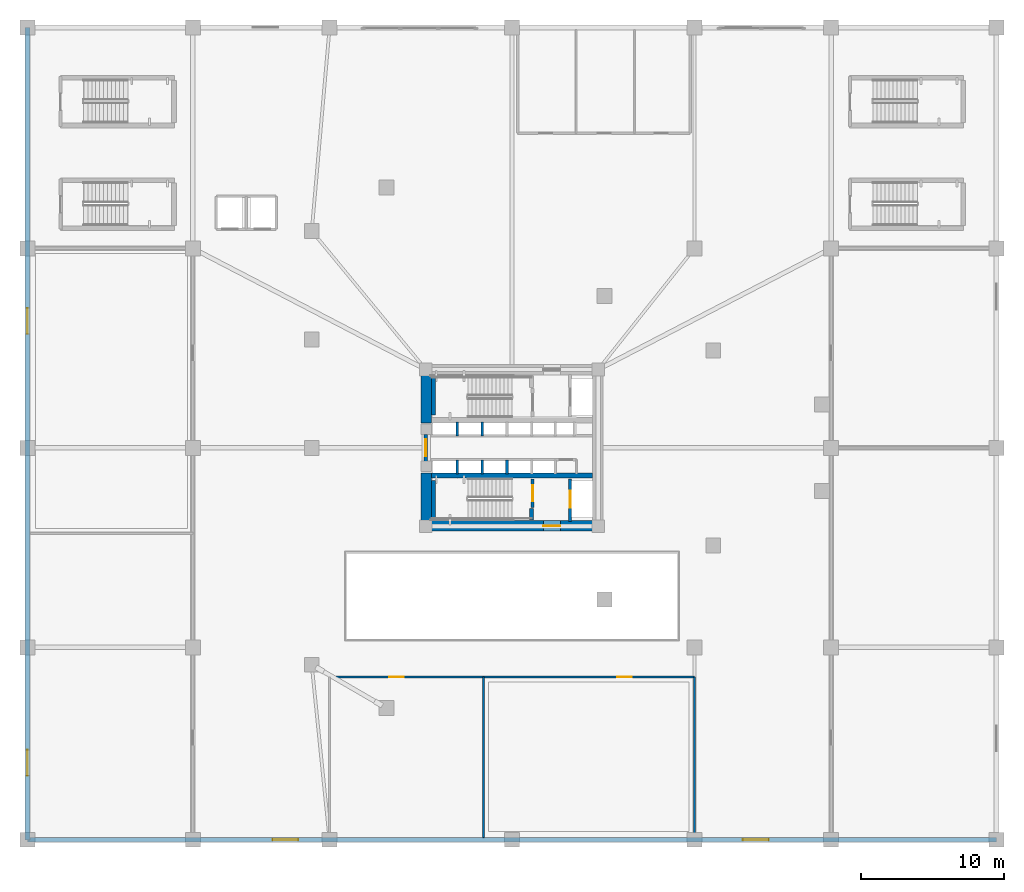
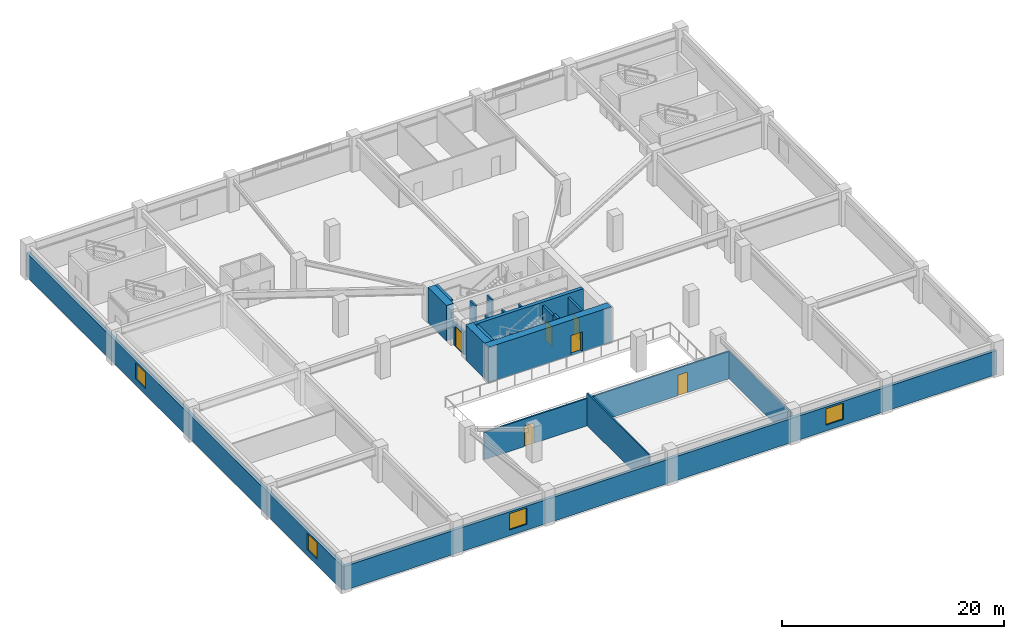
# One storey, part 4 of 16: 20 walls, 6 doors, 4 windows, 10 openings.
"""IFC4 building model written with IfcOpenShell, lengths in metres."""

from ifc_helpers import new_model, si_unit, direction, frame, frame_2d, origin, place, context, subcontext, project, spatial, rectangle, extrude, material, layer, layer_set, type_object, element, fill, save


model = new_model("IFC4")

# Units and contexts
model_context = context("Model", 3, precision=1e-05, world=origin(), true_north=direction((0.0, 1.0)))
body_context = subcontext(model_context, "Body", "Model", "MODEL_VIEW")
ifc_project = project(units=[si_unit("LENGTHUNIT", "METRE"), si_unit("AREAUNIT", "SQUARE_METRE"), si_unit("VOLUMEUNIT", "CUBIC_METRE"), si_unit("PLANEANGLEUNIT", "RADIAN"), si_unit("MASSUNIT", "GRAM", prefix="KILO")], contexts=[model_context])

# Site, building, storey
site_placement = place(None, origin())
site = spatial("IfcSite", under=ifc_project, at=site_placement, CompositionType="ELEMENT")
building_placement = place(site_placement, origin())
building = spatial("IfcBuilding", under=site, at=building_placement, Name="Yunling Apex Tower", CompositionType="ELEMENT")
storey_placement = place(building_placement, frame((0.0, 0.0, 4.5)))
storey = spatial("IfcBuildingStorey", under=building, at=storey_placement, Name="L02", CompositionType="ELEMENT", Elevation=4.5)

# Wall, opening, door
ifc_material_1 = material(Name="Concrete C60", Category="concrete")
ifc_layer_1 = layer(ifc_material_1, 0.75)
ifc_layer_set_1 = layer_set([ifc_layer_1], Name="Concrete C60")
wall_type_1 = type_object("IfcWallType", Name="WL-COR-1", PredefinedType="SHEAR", material=ifc_layer_set_1)
wall_1_placement = place(storey_placement, frame((-6.39990234375, -5.47509765625, 0.0), z_axis=(0.0, 0.0, 1.0), x_axis=(1.0, 0.0, 0.0)))
wall_1 = element("IfcWall", 1, at=wall_1_placement, inside=storey, type_object=wall_type_1, Name="L02 South Core Shear Wall", PredefinedType="SHEAR", context=body_context, shape_type="SweptSolid", body=[
    extrude(rectangle(XDim=12.7998046875, YDim=0.75, at=frame_2d((6.39990234375, 0.0))), origin(), (0.0, 0.0, 1.0), 3.89990234375),
])
opening_1_placement = place(wall_1_placement, frame((8.60009765625, 0.0, 0.0)))
opening_1 = element("IfcOpeningElement", 2, at=opening_1_placement, cuts=wall_1, Name="Opening DR-FFL-1", PredefinedType="OPENING", context=body_context, shape_type="SweptSolid", body=[
    extrude(rectangle(XDim=1.199951171875, YDim=2.199951171875, at=frame_2d((0.60009765625, 1.10009765625))), frame((0.0, 0.385009765625, 0.0), z_axis=(0.0, -1.0, 0.0), x_axis=(1.0, 0.0, 0.0)), (0.0, 0.0, 1.0), 0.77001953125),
])
ifc_material_2 = material(Name="Steel Q355B", Category="steel")
door_type_1 = type_object("IfcDoorType", Name="DR-FFL-1", OperationType="NOTDEFINED", PredefinedType="DOOR", material=ifc_material_2)
door_1_placement = place(opening_1_placement, origin())
door_1 = element("IfcDoor", 3, at=door_1_placement, inside=storey, type_object=door_type_1, Name="L02 South Firefighting Lobby Door", OperationType="SINGLE_SWING_RIGHT", OverallHeight=2.199951171875, OverallWidth=1.199951171875, PredefinedType="DOOR", context=body_context, shape_type="SweptSolid", body=[
    extrude(rectangle(XDim=1.199951171875, YDim=2.199951171875, at=frame_2d((0.60009765625, 1.10009765625))), frame((0.0, 0.02490234375, 0.0), z_axis=(0.0, -1.0, 0.0), x_axis=(1.0, 0.0, 0.0)), (0.0, 0.0, 1.0), 0.050048828125),
])
fill(opening_1, door_1)

# Walls
for number, where, z_axis, x_axis, name in (
    (4, (-6.02490234375, -5.10009765625, 0.0), (0.0, 0.0, 1.0), (0.0, 1.0, 0.0), "L02 West-South Core Shear Wall"),
    (5, (-6.02490234375, 1.75, 0.0), (0.0, 0.0, 1.0), (0.0, 1.0, 0.0), "L02 West-North Core Shear Wall"),
):
    element("IfcWall", number, at=place(storey_placement, frame(where, z_axis=z_axis, x_axis=x_axis)), inside=storey, type_object=wall_type_1, Name=name, PredefinedType="SHEAR", context=body_context, shape_type="SweptSolid", body=[
        extrude(rectangle(XDim=3.35009765625, YDim=0.75, at=frame_2d((1.675048828125, 0.0))), origin(), (0.0, 0.0, 1.0), 3.89990234375),
    ])
ifc_material_3 = material(Name="Concrete C40", Category="concrete")
ifc_layer_2 = layer(ifc_material_3, 0.360107421875)
ifc_layer_set_2 = layer_set([ifc_layer_2], Name="Concrete C40")
wall_type_2 = type_object("IfcWallType", Name="WL-COR-4", PredefinedType="SHEAR", material=ifc_layer_set_2)
wall_2_placement = place(storey_placement, frame((-5.64990234375, -1.93994140625, 0.0), z_axis=(0.0, 0.0, 1.0), x_axis=(1.0, 0.0, 0.0)))
element("IfcWall", 6, at=wall_2_placement, inside=storey, type_object=wall_type_2, Name="L02 South Internal Core Shear Wall", PredefinedType="SHEAR", context=body_context, shape_type="SweptSolid", body=[
    extrude(rectangle(XDim=11.2998046875, YDim=0.360107421875, at=frame_2d((5.64990234375, 0.0))), origin(), (0.0, 0.0, 1.0), 3.89990234375),
])
ifc_layer_3 = layer(ifc_material_3, 0.280029296875)
ifc_layer_set_3 = layer_set([ifc_layer_3], Name="Concrete C40")
wall_type_3 = type_object("IfcWallType", Name="WL-COR-8", PredefinedType="SHEAR", material=ifc_layer_set_3)
for number, where, z_axis, x_axis, name in (
    (7, (-5.52001953125, 2.300048828125, 0.0), (0.0, 0.0, 1.0), (0.0, 1.0, 0.0), "L02 ST-1 West Landing Bearing Wall"),
    (8, (-5.52001953125, -5.050048828125, 0.0), (0.0, 0.0, 1.0), (0.0, 1.0, 0.0), "L02 ST-2 West Landing Bearing Wall"),
):
    element("IfcWall", number, at=place(storey_placement, frame(where, z_axis=z_axis, x_axis=x_axis)), inside=storey, type_object=wall_type_3, Name=name, PredefinedType="SHEAR", context=body_context, shape_type="SweptSolid", body=[
        extrude(rectangle(XDim=2.75, YDim=0.280029296875, at=frame_2d((1.375, 0.0))), origin(), (0.0, 0.0, 1.0), 3.89990234375),
    ])
wall_3_placement = place(storey_placement, frame((1.3798828125, -5.050048828125, 0.0), z_axis=(0.0, 0.0, 1.0), x_axis=(0.0, 1.0, 0.0)))
element("IfcWall", 9, at=wall_3_placement, inside=storey, type_object=wall_type_3, Name="L02 ST-2 East Landing Bearing Pier", PredefinedType="SHEAR", context=body_context, shape_type="SweptSolid", body=[
    extrude(rectangle(XDim=0.800048828125, YDim=0.280029296875, at=frame_2d((0.39990234375, 0.0))), origin(), (0.0, 0.0, 1.0), 3.89990234375),
])

# Wall, openings, windows
ifc_material_4 = material(Name="Precast concrete C40", Category="concrete")
ifc_layer_4 = layer(ifc_material_4, 0.320068359375)
ifc_layer_set_4 = layer_set([ifc_layer_4], Name="Precast concrete C40")
wall_type_4 = type_object("IfcWallType", Name="WL-EXT-1", PredefinedType="SOLIDWALL", material=ifc_layer_set_4)
wall_4_placement = place(storey_placement, frame((34.0, -27.5, 0.0), z_axis=(0.0, 0.0, 1.0), x_axis=(-1.0, 0.0, 0.0)))
wall_4 = element("IfcWall", 10, at=wall_4_placement, inside=storey, type_object=wall_type_4, Name="WL-POD-L02-S", PredefinedType="SOLIDWALL", context=body_context, shape_type="SweptSolid", body=[
    extrude(rectangle(XDim=68.0, YDim=0.320068359375, at=frame_2d((34.0, 0.0))), origin(), (0.0, 0.0, 1.0), 2.64990234375),
])
opening_2_placement = place(wall_4_placement, frame((16.0, 0.0, 0.64990234375)))
opening_2 = element("IfcOpeningElement", 11, at=opening_2_placement, cuts=wall_4, Name="Opening WN-POD-2", PredefinedType="OPENING", context=body_context, shape_type="SweptSolid", body=[
    extrude(rectangle(XDim=1.800048828125, YDim=1.800048828125, at=frame_2d((0.89990234375, 0.89990234375))), frame((0.0, 0.169921875, 0.0), z_axis=(0.0, -1.0, 0.0), x_axis=(1.0, 0.0, 0.0)), (0.0, 0.0, 1.0), 0.340087890625),
])
opening_3_placement = place(wall_4_placement, frame((49.0, 0.0, 0.64990234375)))
opening_3 = element("IfcOpeningElement", 12, at=opening_3_placement, cuts=wall_4, Name="Opening WN-POD-2", PredefinedType="OPENING", context=body_context, shape_type="SweptSolid", body=[
    extrude(rectangle(XDim=1.800048828125, YDim=1.800048828125, at=frame_2d((0.89990234375, 0.89990234375))), frame((0.0, 0.169921875, 0.0), z_axis=(0.0, -1.0, 0.0), x_axis=(1.0, 0.0, 0.0)), (0.0, 0.0, 1.0), 0.340087890625),
])
ifc_material_5 = material(Name="Bronze tinted low-E glass", Category="glass")
window_type = type_object("IfcWindowType", Name="WN-POD-2", PartitioningType="SINGLE_PANEL", PredefinedType="WINDOW", material=ifc_material_5)
window_1_placement = place(opening_2_placement, origin())
window_1 = element("IfcWindow", 13, at=window_1_placement, inside=storey, type_object=window_type, Name="WN-L02-S-1", OverallHeight=1.800048828125, OverallWidth=1.800048828125, PartitioningType="SINGLE_PANEL", PredefinedType="WINDOW", context=body_context, shape_type="SweptSolid", body=[
    extrude(rectangle(XDim=1.800048828125, YDim=1.800048828125, at=frame_2d((0.89990234375, 0.89990234375))), frame((0.0, 0.030029296875, 0.0), z_axis=(0.0, -1.0, 0.0), x_axis=(1.0, 0.0, 0.0)), (0.0, 0.0, 1.0), 0.06005859375),
])
fill(opening_2, window_1)
window_2_placement = place(opening_3_placement, origin())
window_2 = element("IfcWindow", 14, at=window_2_placement, inside=storey, type_object=window_type, Name="WN-L02-S-2", OverallHeight=1.800048828125, OverallWidth=1.800048828125, PartitioningType="SINGLE_PANEL", PredefinedType="WINDOW", context=body_context, shape_type="SweptSolid", body=[
    extrude(rectangle(XDim=1.800048828125, YDim=1.800048828125, at=frame_2d((0.89990234375, 0.89990234375))), frame((0.0, 0.030029296875, 0.0), z_axis=(0.0, -1.0, 0.0), x_axis=(1.0, 0.0, 0.0)), (0.0, 0.0, 1.0), 0.06005859375),
])
fill(opening_3, window_2)

wall_5_placement = place(storey_placement, frame((-34.0, -27.5, 0.0), z_axis=(0.0, 0.0, 1.0), x_axis=(0.0, 1.0, 0.0)))
wall_5 = element("IfcWall", 15, at=wall_5_placement, inside=storey, type_object=wall_type_4, Name="WL-POD-L02-W", PredefinedType="SOLIDWALL", context=body_context, shape_type="SweptSolid", body=[
    extrude(rectangle(XDim=57.0, YDim=0.320068359375, at=frame_2d((28.5, 0.0))), origin(), (0.0, 0.0, 1.0), 2.64990234375),
])
opening_4_placement = place(wall_5_placement, frame((4.5, 0.0, 0.64990234375)))
opening_4 = element("IfcOpeningElement", 16, at=opening_4_placement, cuts=wall_5, Name="Opening WN-POD-2", PredefinedType="OPENING", context=body_context, shape_type="SweptSolid", body=[
    extrude(rectangle(XDim=1.800048828125, YDim=1.800048828125, at=frame_2d((0.89990234375, 0.89990234375))), frame((0.0, 0.169921875, 0.0), z_axis=(0.0, -1.0, 0.0), x_axis=(1.0, 0.0, 0.0)), (0.0, 0.0, 1.0), 0.340087890625),
])
opening_5_placement = place(wall_5_placement, frame((35.5, 0.0, 0.64990234375)))
opening_5 = element("IfcOpeningElement", 17, at=opening_5_placement, cuts=wall_5, Name="Opening WN-POD-2", PredefinedType="OPENING", context=body_context, shape_type="SweptSolid", body=[
    extrude(rectangle(XDim=1.800048828125, YDim=1.800048828125, at=frame_2d((0.89990234375, 0.89990234375))), frame((0.0, 0.169921875, 0.0), z_axis=(0.0, -1.0, 0.0), x_axis=(1.0, 0.0, 0.0)), (0.0, 0.0, 1.0), 0.340087890625),
])
window_3_placement = place(opening_4_placement, origin())
window_3 = element("IfcWindow", 18, at=window_3_placement, inside=storey, type_object=window_type, Name="WN-L02-W-1", OverallHeight=1.800048828125, OverallWidth=1.800048828125, PartitioningType="SINGLE_PANEL", PredefinedType="WINDOW", context=body_context, shape_type="SweptSolid", body=[
    extrude(rectangle(XDim=1.800048828125, YDim=1.800048828125, at=frame_2d((0.89990234375, 0.89990234375))), frame((0.0, 0.030029296875, 0.0), z_axis=(0.0, -1.0, 0.0), x_axis=(1.0, 0.0, 0.0)), (0.0, 0.0, 1.0), 0.06005859375),
])
fill(opening_4, window_3)
window_4_placement = place(opening_5_placement, origin())
window_4 = element("IfcWindow", 19, at=window_4_placement, inside=storey, type_object=window_type, Name="WN-L02-W-2", OverallHeight=1.800048828125, OverallWidth=1.800048828125, PartitioningType="SINGLE_PANEL", PredefinedType="WINDOW", context=body_context, shape_type="SweptSolid", body=[
    extrude(rectangle(XDim=1.800048828125, YDim=1.800048828125, at=frame_2d((0.89990234375, 0.89990234375))), frame((0.0, 0.030029296875, 0.0), z_axis=(0.0, -1.0, 0.0), x_axis=(1.0, 0.0, 0.0)), (0.0, 0.0, 1.0), 0.06005859375),
])
fill(opening_5, window_4)

# Wall, openings, doors
ifc_material_6 = material(Name="Gypsum board acoustic partition")
ifc_layer_5 = layer(ifc_material_6, 0.159912109375)
ifc_layer_set_5 = layer_set([ifc_layer_5], Name="Gypsum board acoustic partition")
wall_type_5 = type_object("IfcWallType", Name="WL-PRT-1", PredefinedType="PARTITIONING", material=ifc_layer_set_5)
wall_6_placement = place(storey_placement, frame((-12.800048828125, -16.080078125, 0.0), z_axis=(0.0, 0.0, 1.0), x_axis=(1.0, 0.0, 0.0)))
wall_6 = element("IfcWall", 20, at=wall_6_placement, inside=storey, type_object=wall_type_5, Name="WL-L02-SN", PredefinedType="PARTITIONING", context=body_context, shape_type="SweptSolid", body=[
    extrude(rectangle(XDim=25.60009765625, YDim=0.159912109375, at=frame_2d((12.800048828125, 0.0))), origin(), (0.0, 0.0, 1.0), 3.02490234375),
])
opening_6_placement = place(wall_6_placement, frame((4.199951171875, 0.0, 0.0)))
opening_6 = element("IfcOpeningElement", 21, at=opening_6_placement, cuts=wall_6, Name="Opening DR-OFF-1", PredefinedType="OPENING", context=body_context, shape_type="SweptSolid", body=[
    extrude(rectangle(XDim=1.0, YDim=2.25, at=frame_2d((0.5, 1.125))), frame((0.0, 0.08984375, 0.0), z_axis=(0.0, -1.0, 0.0), x_axis=(1.0, 0.0, 0.0)), (0.0, 0.0, 1.0), 0.179931640625),
])
opening_7_placement = place(wall_6_placement, frame((20.199951171875, 0.0, 0.0)))
opening_7 = element("IfcOpeningElement", 22, at=opening_7_placement, cuts=wall_6, Name="Opening DR-OFF-1", PredefinedType="OPENING", context=body_context, shape_type="SweptSolid", body=[
    extrude(rectangle(XDim=1.0, YDim=2.25, at=frame_2d((0.5, 1.125))), frame((0.0, 0.08984375, 0.0), z_axis=(0.0, -1.0, 0.0), x_axis=(1.0, 0.0, 0.0)), (0.0, 0.0, 1.0), 0.179931640625),
])
ifc_material_7 = material(Name="Bronze anodised aluminium", Category="aluminium")
door_type_2 = type_object("IfcDoorType", Name="DR-OFF-1", OperationType="NOTDEFINED", PredefinedType="DOOR", material=ifc_material_7)
door_2_placement = place(opening_6_placement, origin())
door_2 = element("IfcDoor", 23, at=door_2_placement, inside=storey, type_object=door_type_2, Name="L02 Briefing Room Door", OperationType="SINGLE_SWING_RIGHT", OverallHeight=2.25, OverallWidth=1.0, PredefinedType="DOOR", context=body_context, shape_type="SweptSolid", body=[
    extrude(rectangle(XDim=1.0, YDim=2.25, at=frame_2d((0.5, 1.125))), frame((0.0, 0.02490234375, 0.0), z_axis=(0.0, -1.0, 0.0), x_axis=(1.0, 0.0, 0.0)), (0.0, 0.0, 1.0), 0.050048828125),
])
fill(opening_6, door_2)
door_3_placement = place(opening_7_placement, origin())
door_3 = element("IfcDoor", 24, at=door_3_placement, inside=storey, type_object=door_type_2, Name="L02 Atrium Salon Door", OperationType="SINGLE_SWING_LEFT", OverallHeight=2.25, OverallWidth=1.0, PredefinedType="DOOR", context=body_context, shape_type="SweptSolid", body=[
    extrude(rectangle(XDim=1.0, YDim=2.25, at=frame_2d((0.5, 1.125))), frame((0.0, 0.02490234375, 0.0), z_axis=(0.0, -1.0, 0.0), x_axis=(1.0, 0.0, 0.0)), (0.0, 0.0, 1.0), 0.050048828125),
])
fill(opening_7, door_3)

# Walls
wall_7_placement = place(storey_placement, frame((12.800048828125, -27.35009765625, 0.0), z_axis=(0.0, 0.0, 1.0), x_axis=(0.0, 1.0, 0.0)))
element("IfcWall", 25, at=wall_7_placement, inside=storey, type_object=wall_type_5, Name="WL-L02-SE", PredefinedType="PARTITIONING", context=body_context, shape_type="SweptSolid", body=[
    extrude(rectangle(XDim=11.27001953125, YDim=0.159912109375, at=frame_2d((5.635009765625, 0.0))), origin(), (0.0, 0.0, 1.0), 3.02490234375),
])
ifc_layer_6 = layer(ifc_material_6, 0.139892578125)
ifc_layer_set_6 = layer_set([ifc_layer_6], Name="Gypsum board acoustic partition")
wall_type_6 = type_object("IfcWallType", Name="WL-PRT-2", PredefinedType="PARTITIONING", material=ifc_layer_set_6)
wall_8_placement = place(storey_placement, frame((-2.0, -27.35009765625, 0.0), z_axis=(0.0, 0.0, 1.0), x_axis=(0.0, 1.0, 0.0)))
element("IfcWall", 26, at=wall_8_placement, inside=storey, type_object=wall_type_6, Name="WL-L02-SM", PredefinedType="PARTITIONING", context=body_context, shape_type="SweptSolid", body=[
    extrude(rectangle(XDim=11.27001953125, YDim=0.139892578125, at=frame_2d((5.635009765625, 0.0))), origin(), (0.0, 0.0, 1.0), 3.570068359375),
])

# Wall, opening, door
ifc_material_8 = material(Name="Autoclaved aerated concrete masonry", Category="masonry")
ifc_layer_7 = layer(ifc_material_8, 0.219970703125)
ifc_layer_set_7 = layer_set([ifc_layer_7], Name="Autoclaved aerated concrete masonry")
wall_type_7 = type_object("IfcWallType", Name="WL-SHF-1", PredefinedType="PLUMBINGWALL", material=ifc_layer_set_7)
wall_9_placement = place(storey_placement, frame((-6.050048828125, -0.949951171875, 0.0), z_axis=(0.0, 0.0, 1.0), x_axis=(0.0, 1.0, 0.0)))
wall_9 = element("IfcWall", 27, at=wall_9_placement, inside=storey, type_object=wall_type_7, Name="WL-COR-WPORT-L02", PredefinedType="PLUMBINGWALL", context=body_context, shape_type="SweptSolid", body=[
    extrude(rectangle(XDim=1.89990234375, YDim=0.219970703125, at=frame_2d((0.949951171875, 0.0))), origin(), (0.0, 0.0, 1.0), 2.550048828125),
])
opening_8_placement = place(wall_9_placement, frame((0.35009765625, 0.0, 0.0)))
opening_8 = element("IfcOpeningElement", 28, at=opening_8_placement, cuts=wall_9, Name="Opening DR-FFL-1", PredefinedType="OPENING", context=body_context, shape_type="SweptSolid", body=[
    extrude(rectangle(XDim=1.199951171875, YDim=2.199951171875, at=frame_2d((0.60009765625, 1.10009765625))), frame((0.0, 0.1201171875, 0.0), z_axis=(0.0, -1.0, 0.0), x_axis=(1.0, 0.0, 0.0)), (0.0, 0.0, 1.0), 0.239990234375),
])
door_4_placement = place(opening_8_placement, origin())
door_4 = element("IfcDoor", 29, at=door_4_placement, inside=storey, type_object=door_type_1, Name="L02 Passenger Lift Lobby Entrance Door", OperationType="SINGLE_SWING_RIGHT", OverallHeight=2.199951171875, OverallWidth=1.199951171875, PredefinedType="DOOR", context=body_context, shape_type="SweptSolid", body=[
    extrude(rectangle(XDim=1.199951171875, YDim=2.199951171875, at=frame_2d((0.60009765625, 1.10009765625))), frame((0.0, 0.02490234375, 0.0), z_axis=(0.0, -1.0, 0.0), x_axis=(1.0, 0.0, 0.0)), (0.0, 0.0, 1.0), 0.050048828125),
])
fill(opening_8, door_4)

wall_10_placement = place(storey_placement, frame((1.449951171875, -4.179931640625, 0.0), z_axis=(0.0, 0.0, 1.0), x_axis=(0.0, 1.0, 0.0)))
wall_10 = element("IfcWall", 30, at=wall_10_placement, inside=storey, type_object=wall_type_7, Name="WL-ST2-E-L02", PredefinedType="PLUMBINGWALL", context=body_context, shape_type="SweptSolid", body=[
    extrude(rectangle(XDim=1.97998046875, YDim=0.219970703125, at=frame_2d((0.989990234375, 0.0))), origin(), (0.0, 0.0, 1.0), 3.570068359375),
])
opening_9_placement = place(wall_10_placement, frame((0.419921875, 0.0, 0.0)))
opening_9 = element("IfcOpeningElement", 31, at=opening_9_placement, cuts=wall_10, Name="Opening DR-ST-1", PredefinedType="OPENING", context=body_context, shape_type="SweptSolid", body=[
    extrude(rectangle(XDim=1.14990234375, YDim=2.14990234375, at=frame_2d((0.574951171875, 1.074951171875))), frame((0.0, 0.1201171875, 0.0), z_axis=(0.0, -1.0, 0.0), x_axis=(1.0, 0.0, 0.0)), (0.0, 0.0, 1.0), 0.239990234375),
])
door_type_3 = type_object("IfcDoorType", Name="DR-ST-1", OperationType="NOTDEFINED", PredefinedType="DOOR", material=ifc_material_2)
door_5_placement = place(opening_9_placement, origin())
door_5 = element("IfcDoor", 32, at=door_5_placement, inside=storey, type_object=door_type_3, Name="L02 Stair ST-2 Fire Door", OperationType="SINGLE_SWING_LEFT", OverallHeight=2.14990234375, OverallWidth=1.14990234375, PredefinedType="DOOR", context=body_context, shape_type="SweptSolid", body=[
    extrude(rectangle(XDim=1.14990234375, YDim=2.14990234375, at=frame_2d((0.574951171875, 1.074951171875))), frame((0.0, 0.02490234375, 0.0), z_axis=(0.0, -1.0, 0.0), x_axis=(1.0, 0.0, 0.0)), (0.0, 0.0, 1.0), 0.050048828125),
])
fill(opening_9, door_5)

wall_11_placement = place(storey_placement, frame((4.080078125, -5.14990234375, 0.0), z_axis=(0.0, 0.0, 1.0), x_axis=(0.0, 1.0, 0.0)))
wall_11 = element("IfcWall", 33, at=wall_11_placement, inside=storey, type_object=wall_type_7, Name="WL-FFL2-W-L02", PredefinedType="PLUMBINGWALL", context=body_context, shape_type="SweptSolid", body=[
    extrude(rectangle(XDim=2.949951171875, YDim=0.219970703125, at=frame_2d((1.47509765625, 0.0))), origin(), (0.0, 0.0, 1.0), 3.570068359375),
])
opening_10_placement = place(wall_11_placement, frame((0.949951171875, 0.0, 0.0)))
opening_10 = element("IfcOpeningElement", 34, at=opening_10_placement, cuts=wall_11, Name="Opening LD-FFL-1", PredefinedType="OPENING", context=body_context, shape_type="SweptSolid", body=[
    extrude(rectangle(XDim=1.199951171875, YDim=2.25, at=frame_2d((0.60009765625, 1.125))), frame((0.0, 0.1201171875, 0.0), z_axis=(0.0, -1.0, 0.0), x_axis=(1.0, 0.0, 0.0)), (0.0, 0.0, 1.0), 0.239990234375),
])
door_type_4 = type_object("IfcDoorType", Name="LD-FFL-1", OperationType="DOUBLE_DOOR_SLIDING", PredefinedType="DOOR", material=ifc_material_2)
door_6_placement = place(opening_10_placement, origin())
door_6 = element("IfcDoor", 35, at=door_6_placement, inside=storey, type_object=door_type_4, Name="L02 Lift FFL-2 Landing Door", OperationType="DOUBLE_DOOR_SLIDING", OverallHeight=2.25, OverallWidth=1.199951171875, PredefinedType="DOOR", context=body_context, shape_type="SweptSolid", body=[
    extrude(rectangle(XDim=1.199951171875, YDim=2.25, at=frame_2d((0.60009765625, 1.125))), frame((0.0, 0.02490234375, 0.0), z_axis=(0.0, -1.0, 0.0), x_axis=(1.0, 0.0, 0.0)), (0.0, 0.0, 1.0), 0.050048828125),
])
fill(opening_10, door_6)

# Walls
ifc_layer_8 = layer(ifc_material_8, 0.179931640625)
ifc_layer_set_8 = layer_set([ifc_layer_8], Name="Autoclaved aerated concrete masonry")
wall_type_8 = type_object("IfcWallType", Name="WL-SHF-2", PredefinedType="PLUMBINGWALL", material=ifc_layer_set_8)
for number, where, z_axis, x_axis, name in (
    (36, (-3.85009765625, 0.840087890625, 0.0), (0.0, 0.0, 1.0), (0.0, 1.0, 0.0), "WL-DIV-L12-L02"),
    (37, (-3.85009765625, -1.820068359375, 0.0), (0.0, 0.0, 1.0), (0.0, 1.0, 0.0), "WL-DIV-L34-L02"),
    (38, (-2.10009765625, 0.840087890625, 0.0), (0.0, 0.0, 1.0), (0.0, 1.0, 0.0), "WL-BNK-LM-N-L02"),
    (39, (-2.10009765625, -1.820068359375, 0.0), (0.0, 0.0, 1.0), (0.0, 1.0, 0.0), "WL-BNK-LM-S-L02"),
    (40, (-0.35009765625, -1.820068359375, 0.0), (0.0, 0.0, 1.0), (0.0, 1.0, 0.0), "WL-DIV-M34-L02"),
):
    element("IfcWall", number, at=place(storey_placement, frame(where, z_axis=z_axis, x_axis=x_axis)), inside=storey, type_object=wall_type_8, Name=name, PredefinedType="PLUMBINGWALL", context=body_context, shape_type="SweptSolid", body=[
        extrude(rectangle(XDim=0.97998046875, YDim=0.179931640625, at=frame_2d((0.489990234375, 0.0))), origin(), (0.0, 0.0, 1.0), 3.570068359375),
    ])

save(model, "model.ifc")
